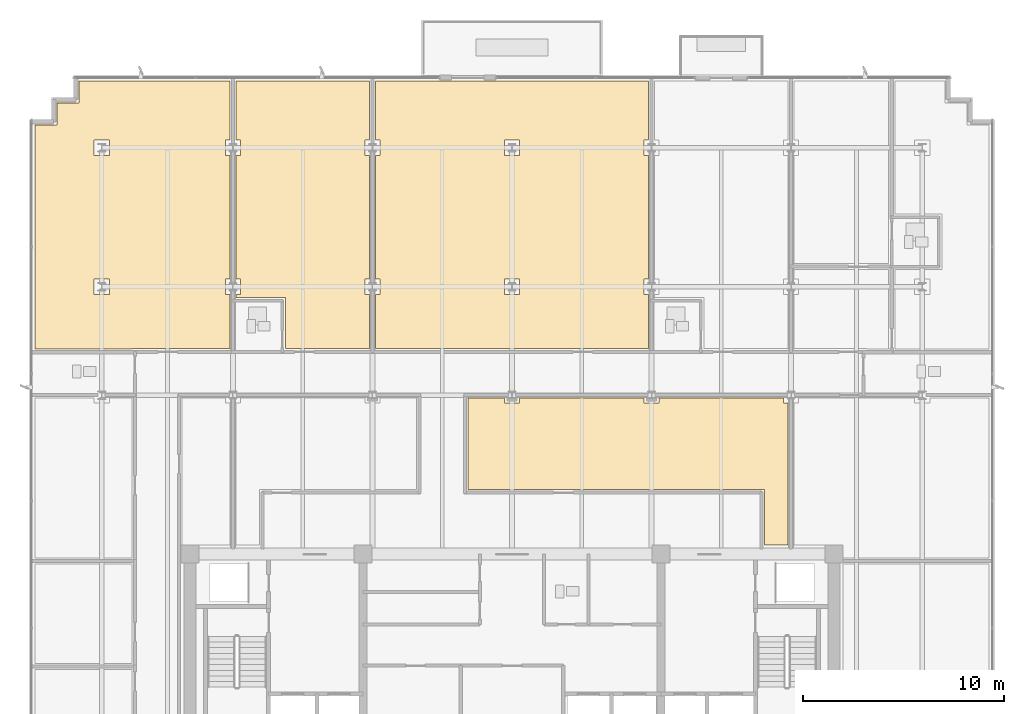
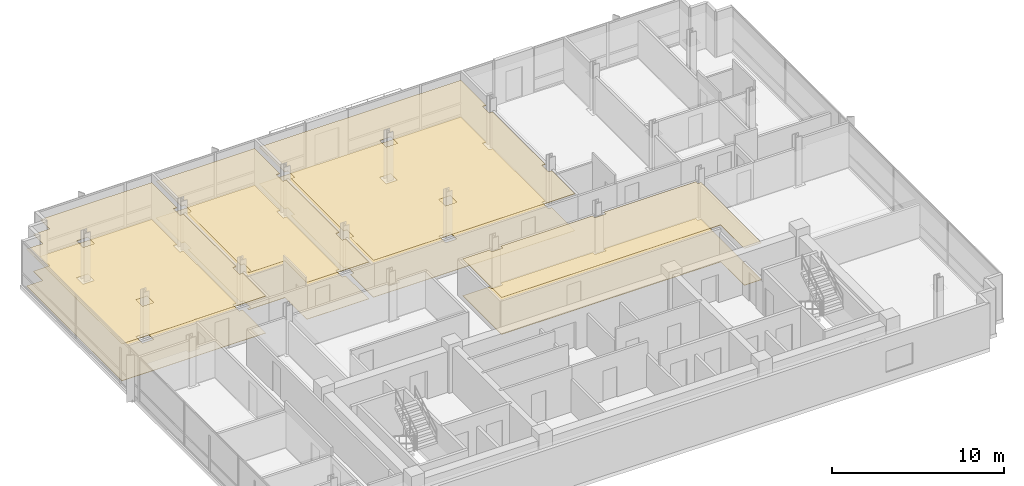
# One storey, part 16 of 19: 8 coverings.
"""IFC4 building model written with IfcOpenShell, lengths in metres."""

from ifc_helpers import new_model, si_unit, direction, frame, origin, place, context, subcontext, project, spatial, polyline, outline, extrude, material, layer, layer_set, type_object, element, save


model = new_model("IFC4")

# Units and contexts
model_context = context("Model", 3, precision=1e-05, world=origin(), true_north=direction((0.0, 1.0)))
body_context = subcontext(model_context, "Body", "Model", "MODEL_VIEW")
ifc_project = project(units=[si_unit("LENGTHUNIT", "METRE"), si_unit("AREAUNIT", "SQUARE_METRE"), si_unit("VOLUMEUNIT", "CUBIC_METRE"), si_unit("PLANEANGLEUNIT", "RADIAN"), si_unit("MASSUNIT", "GRAM", prefix="KILO")], contexts=[model_context])

# Site, building, storey
site_placement = place(None, origin())
site = spatial("IfcSite", under=ifc_project, at=site_placement, CompositionType="ELEMENT")
building_placement = place(site_placement, origin())
building = spatial("IfcBuilding", under=site, at=building_placement, Name="Solmavex Isthmus Hotel", CompositionType="ELEMENT")
storey_placement = place(building_placement, frame((0.0, 0.0, 262.64990234375)))
storey = spatial("IfcBuildingStorey", under=building, at=storey_placement, Name="L71", CompositionType="ELEMENT", Elevation=262.64990234375)

# Coverings
ifc_material_1 = material(Name="Gypsum plasterboard lining", Category="gypsum")
ifc_layer_1 = layer(ifc_material_1, 0.030029296875)
ifc_layer_set_1 = layer_set([ifc_layer_1], Name="Gypsum plasterboard lining")
covering_type_1 = type_object("IfcCoveringType", Name="COV-CEIL-GYP", PredefinedType="CEILING", material=ifc_layer_set_1)
covering_1_placement = place(storey_placement, frame((0.0, 0.0, 2.6201171875)))
element("IfcCovering", 1, at=covering_1_placement, inside=storey, type_object=covering_type_1, Name="Suspended Acoustic Ceiling L71-RM01", PredefinedType="CEILING", context=body_context, shape_type="SweptSolid", body=[
    extrude(outline(polyline([(-18.905029296875, 7.68505859375), (-18.905029296875, 7.705078125), (-14.027099609375, 7.705078125), (-14.027099609375, 10.407958984375), (-14.251953125, 10.407958984375), (-14.251953125, 11.16796875), (-14.027099609375, 11.16796875), (-14.027099609375, 17.320068359375), (-14.251953125, 17.320068359375), (-14.251953125, 18.080078125), (-14.027099609375, 18.080078125), (-14.027099609375, 21.02490234375), (-21.52490234375, 21.02490234375), (-21.52490234375, 19.925048828125), (-22.625, 19.925048828125), (-22.625, 18.824951171875), (-23.72509765625, 18.824951171875), (-23.72509765625, 7.68505859375), (-18.905029296875, 7.68505859375)]), holes=[polyline([(-20.780029296875, 10.407958984375), (-20.780029296875, 11.16796875), (-20.02001953125, 11.16796875), (-20.02001953125, 10.407958984375), (-20.780029296875, 10.407958984375)]), polyline([(-20.780029296875, 17.320068359375), (-20.780029296875, 18.080078125), (-20.02001953125, 18.080078125), (-20.02001953125, 17.320068359375), (-20.780029296875, 17.320068359375)])]), origin(), (0.0, 0.0, 1.0), 0.030029296875),
])
covering_2_placement = place(storey_placement, frame((0.0, 0.0, 2.6201171875)))
element("IfcCovering", 2, at=covering_2_placement, inside=storey, type_object=covering_type_1, Name="Suspended Acoustic Ceiling L71-RM02", PredefinedType="CEILING", context=body_context, shape_type="SweptSolid", body=[
    extrude(outline(polyline([(-13.717041015625, 11.16796875), (-13.491943359375, 11.16796875), (-13.491943359375, 10.407958984375), (-13.717041015625, 10.407958984375), (-13.717041015625, 10.2548828125), (-11.26708984375, 10.2548828125), (-11.26708984375, 7.705078125), (-7.091064453125, 7.705078125), (-7.091064453125, 10.407958984375), (-7.31591796875, 10.407958984375), (-7.31591796875, 11.16796875), (-7.091064453125, 11.16796875), (-7.091064453125, 17.320068359375), (-7.31591796875, 17.320068359375), (-7.31591796875, 18.080078125), (-7.091064453125, 18.080078125), (-7.091064453125, 21.02490234375), (-13.717041015625, 21.02490234375), (-13.717041015625, 18.080078125), (-13.491943359375, 18.080078125), (-13.491943359375, 17.320068359375), (-13.717041015625, 17.320068359375), (-13.717041015625, 11.16796875)])), origin(), (0.0, 0.0, 1.0), 0.030029296875),
])
covering_3_placement = place(storey_placement, frame((0.0, 0.0, 2.6201171875)))
element("IfcCovering", 3, at=covering_3_placement, inside=storey, type_object=covering_type_1, Name="Suspended Acoustic Ceiling L71-RM03", PredefinedType="CEILING", context=body_context, shape_type="SweptSolid", body=[
    extrude(outline(polyline([(-6.781005859375, 11.16796875), (-6.555908203125, 11.16796875), (-6.555908203125, 10.407958984375), (-6.781005859375, 10.407958984375), (-6.781005859375, 7.705078125), (6.781005859375, 7.705078125), (6.781005859375, 10.407958984375), (6.555908203125, 10.407958984375), (6.555908203125, 11.16796875), (6.781005859375, 11.16796875), (6.781005859375, 17.320068359375), (6.555908203125, 17.320068359375), (6.555908203125, 18.080078125), (6.781005859375, 18.080078125), (6.781005859375, 21.02490234375), (-6.781005859375, 21.02490234375), (-6.781005859375, 18.080078125), (-6.555908203125, 18.080078125), (-6.555908203125, 17.320068359375), (-6.781005859375, 17.320068359375), (-6.781005859375, 11.16796875)]), holes=[polyline([(-0.3798828125, 10.407958984375), (-0.3798828125, 11.16796875), (0.3798828125, 11.16796875), (0.3798828125, 10.407958984375), (-0.3798828125, 10.407958984375)]), polyline([(-0.3798828125, 17.320068359375), (-0.3798828125, 18.080078125), (0.3798828125, 18.080078125), (0.3798828125, 17.320068359375), (-0.3798828125, 17.320068359375)])]), origin(), (0.0, 0.0, 1.0), 0.030029296875),
])
covering_4_placement = place(storey_placement, frame((0.0, 0.0, 2.6201171875)))
element("IfcCovering", 4, at=covering_4_placement, inside=storey, type_object=covering_type_1, Name="Suspended Acoustic Ceiling L71-FL15", PredefinedType="CEILING", context=body_context, shape_type="SweptSolid", body=[
    extrude(outline(polyline([(0.3798828125, 5.2451171875), (0.3798828125, 5.02001953125), (-0.3798828125, 5.02001953125), (-0.3798828125, 5.2451171875), (-2.193115234375, 5.2451171875), (-2.193115234375, 0.705078125), (12.554931640625, 0.705078125), (12.554931640625, -2.044921875), (13.717041015625, -2.044921875), (13.717041015625, 5.02001953125), (13.491943359375, 5.02001953125), (13.491943359375, 5.2451171875), (7.31591796875, 5.2451171875), (7.31591796875, 5.02001953125), (6.555908203125, 5.02001953125), (6.555908203125, 5.2451171875), (0.3798828125, 5.2451171875)])), origin(), (0.0, 0.0, 1.0), 0.030029296875),
])
ifc_material_2 = material(Name="Travertine natural stone", Category="masonry")
ifc_layer_2 = layer(ifc_material_2, 0.02490234375)
ifc_layer_set_2 = layer_set([ifc_layer_2], Name="Travertine natural stone")
covering_type_2 = type_object("IfcCoveringType", Name="COV-FLOR-STN", PredefinedType="FLOORING", material=ifc_layer_set_2)
covering_5_placement = place(storey_placement, origin())
element("IfcCovering", 5, at=covering_5_placement, inside=storey, type_object=covering_type_2, Name="Stone and Timber Floor Finish L71-RM01", PredefinedType="FLOORING", context=body_context, shape_type="SweptSolid", body=[
    extrude(outline(polyline([(-18.905029296875, 7.68505859375), (-18.905029296875, 7.705078125), (-14.027099609375, 7.705078125), (-14.027099609375, 10.407958984375), (-14.251953125, 10.407958984375), (-14.251953125, 11.16796875), (-14.027099609375, 11.16796875), (-14.027099609375, 17.320068359375), (-14.251953125, 17.320068359375), (-14.251953125, 18.080078125), (-14.027099609375, 18.080078125), (-14.027099609375, 21.02490234375), (-21.52490234375, 21.02490234375), (-21.52490234375, 19.925048828125), (-22.625, 19.925048828125), (-22.625, 18.824951171875), (-23.72509765625, 18.824951171875), (-23.72509765625, 7.68505859375), (-18.905029296875, 7.68505859375)]), holes=[polyline([(-20.780029296875, 10.407958984375), (-20.780029296875, 11.16796875), (-20.02001953125, 11.16796875), (-20.02001953125, 10.407958984375), (-20.780029296875, 10.407958984375)]), polyline([(-20.780029296875, 17.320068359375), (-20.780029296875, 18.080078125), (-20.02001953125, 18.080078125), (-20.02001953125, 17.320068359375), (-20.780029296875, 17.320068359375)])]), origin(), (0.0, 0.0, 1.0), 0.025146484375),
])
covering_6_placement = place(storey_placement, origin())
element("IfcCovering", 6, at=covering_6_placement, inside=storey, type_object=covering_type_2, Name="Stone and Timber Floor Finish L71-RM02", PredefinedType="FLOORING", context=body_context, shape_type="SweptSolid", body=[
    extrude(outline(polyline([(-13.717041015625, 11.16796875), (-13.491943359375, 11.16796875), (-13.491943359375, 10.407958984375), (-13.717041015625, 10.407958984375), (-13.717041015625, 10.2548828125), (-11.26708984375, 10.2548828125), (-11.26708984375, 7.705078125), (-7.091064453125, 7.705078125), (-7.091064453125, 10.407958984375), (-7.31591796875, 10.407958984375), (-7.31591796875, 11.16796875), (-7.091064453125, 11.16796875), (-7.091064453125, 17.320068359375), (-7.31591796875, 17.320068359375), (-7.31591796875, 18.080078125), (-7.091064453125, 18.080078125), (-7.091064453125, 21.02490234375), (-13.717041015625, 21.02490234375), (-13.717041015625, 18.080078125), (-13.491943359375, 18.080078125), (-13.491943359375, 17.320068359375), (-13.717041015625, 17.320068359375), (-13.717041015625, 11.16796875)])), origin(), (0.0, 0.0, 1.0), 0.025146484375),
])
covering_7_placement = place(storey_placement, origin())
element("IfcCovering", 7, at=covering_7_placement, inside=storey, type_object=covering_type_2, Name="Stone and Timber Floor Finish L71-RM03", PredefinedType="FLOORING", context=body_context, shape_type="SweptSolid", body=[
    extrude(outline(polyline([(-6.781005859375, 11.16796875), (-6.555908203125, 11.16796875), (-6.555908203125, 10.407958984375), (-6.781005859375, 10.407958984375), (-6.781005859375, 7.705078125), (6.781005859375, 7.705078125), (6.781005859375, 10.407958984375), (6.555908203125, 10.407958984375), (6.555908203125, 11.16796875), (6.781005859375, 11.16796875), (6.781005859375, 17.320068359375), (6.555908203125, 17.320068359375), (6.555908203125, 18.080078125), (6.781005859375, 18.080078125), (6.781005859375, 21.02490234375), (-6.781005859375, 21.02490234375), (-6.781005859375, 18.080078125), (-6.555908203125, 18.080078125), (-6.555908203125, 17.320068359375), (-6.781005859375, 17.320068359375), (-6.781005859375, 11.16796875)]), holes=[polyline([(-0.3798828125, 10.407958984375), (-0.3798828125, 11.16796875), (0.3798828125, 11.16796875), (0.3798828125, 10.407958984375), (-0.3798828125, 10.407958984375)]), polyline([(-0.3798828125, 17.320068359375), (-0.3798828125, 18.080078125), (0.3798828125, 18.080078125), (0.3798828125, 17.320068359375), (-0.3798828125, 17.320068359375)])]), origin(), (0.0, 0.0, 1.0), 0.025146484375),
])
covering_8_placement = place(storey_placement, origin())
element("IfcCovering", 8, at=covering_8_placement, inside=storey, type_object=covering_type_2, Name="Stone and Timber Floor Finish L71-FL15", PredefinedType="FLOORING", context=body_context, shape_type="SweptSolid", body=[
    extrude(outline(polyline([(0.3798828125, 5.2451171875), (0.3798828125, 5.02001953125), (-0.3798828125, 5.02001953125), (-0.3798828125, 5.2451171875), (-2.193115234375, 5.2451171875), (-2.193115234375, 0.705078125), (12.554931640625, 0.705078125), (12.554931640625, -2.044921875), (13.717041015625, -2.044921875), (13.717041015625, 5.02001953125), (13.491943359375, 5.02001953125), (13.491943359375, 5.2451171875), (7.31591796875, 5.2451171875), (7.31591796875, 5.02001953125), (6.555908203125, 5.02001953125), (6.555908203125, 5.2451171875), (0.3798828125, 5.2451171875)])), origin(), (0.0, 0.0, 1.0), 0.025146484375),
])

save(model, "model.ifc")
